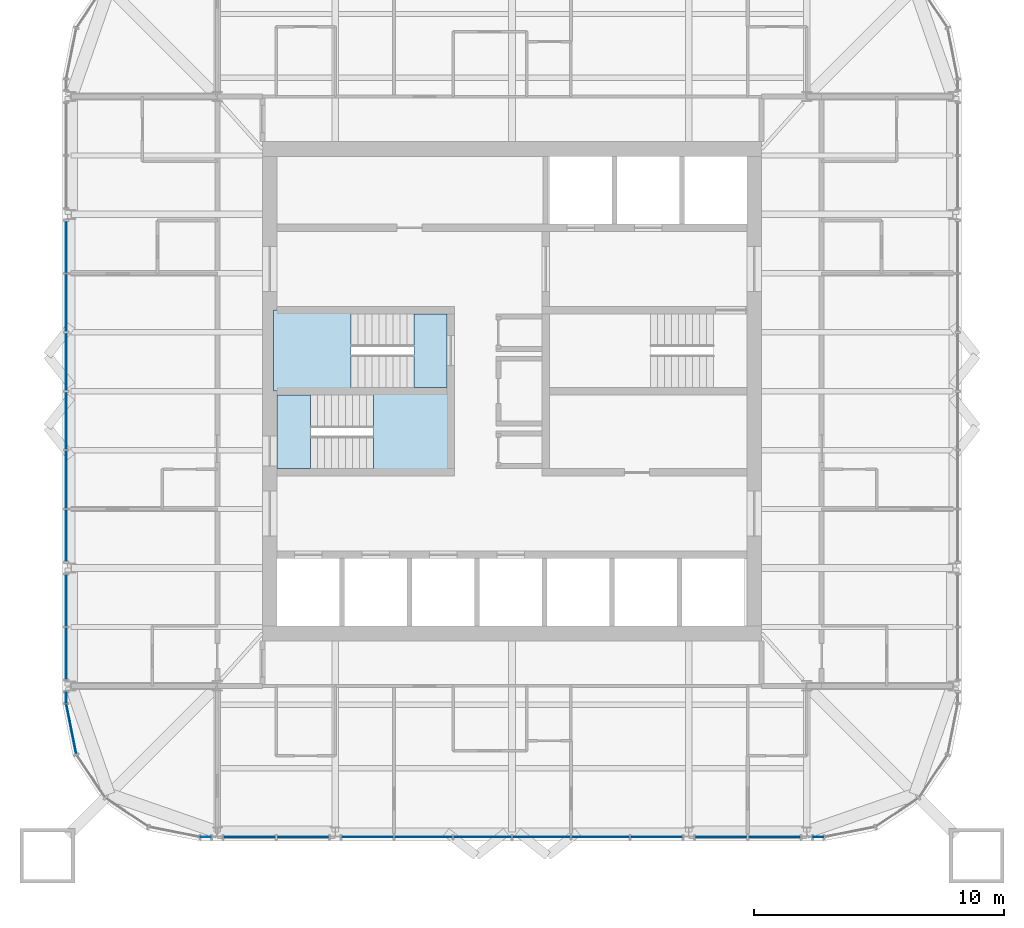
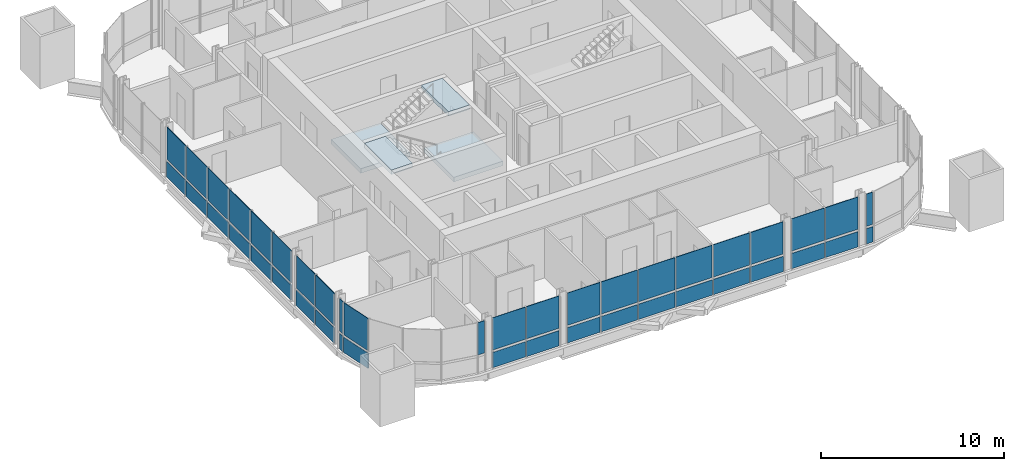
# One storey, part 8 of 17: 43 plates, 4 slabs, 11 elements without a shape of their own.
"""IFC4 building model written with IfcOpenShell, lengths in metres."""

from ifc_helpers import new_model, si_unit, direction, frame, origin, origin_2d, place, context, subcontext, project, spatial, polyline, rectangle, outline, extrude, material, layer, layer_set, type_object, element, aggregate, save


model = new_model("IFC4")

# Units and contexts
model_context = context("Model", 3, precision=1e-05, world=origin(), true_north=direction((0.0, 1.0)))
body_context = subcontext(model_context, "Body", "Model", "MODEL_VIEW")
ifc_project = project(units=[si_unit("LENGTHUNIT", "METRE"), si_unit("AREAUNIT", "SQUARE_METRE"), si_unit("VOLUMEUNIT", "CUBIC_METRE"), si_unit("PLANEANGLEUNIT", "RADIAN"), si_unit("MASSUNIT", "GRAM", prefix="KILO")], contexts=[model_context])

# Site, building, storey
site_placement = place(None, origin())
site = spatial("IfcSite", under=ifc_project, at=site_placement, CompositionType="ELEMENT")
building_placement = place(site_placement, origin())
building = spatial("IfcBuilding", under=site, at=building_placement, Name="Turquesa Mirador Hotel Tower", CompositionType="ELEMENT")
storey_placement = place(building_placement, frame((0.0, 0.0, 247.699951171875)))
storey = spatial("IfcBuildingStorey", under=building, at=storey_placement, Name="L67", CompositionType="ELEMENT", Elevation=247.699951171875)

# Curtain wall, plates
ifc_material_1 = material(Name="Aluminium extrusion", Category="aluminium")
curtain_wall_type = type_object("IfcCurtainWallType", Name="CW-4 SUITE FRITTED CURTAIN WALL", PredefinedType="USERDEFINED", material=ifc_material_1)
curtain_wall_1_placement = place(storey_placement, origin())
curtain_wall_1 = element("IfcCurtainWall", 1, at=curtain_wall_1_placement, inside=storey, type_object=curtain_wall_type, Name="CW-4 SUITE FRITTED CURTAIN WALL L67", ObjectType="CURTAIN WALL", PredefinedType="USERDEFINED")
ifc_material_2 = material(Name="Ceramic-printed spandrel glass on an insulated back pan", Category="glass")
ifc_layer_1 = layer(ifc_material_2, 0.050048828125)
ifc_layer_set_1 = layer_set([ifc_layer_1], Name="CW PANEL SPANDREL CERAMIC")
plate_type_1 = type_object("IfcPlateType", Name="CW PANEL SPANDREL CERAMIC", PredefinedType="CURTAIN_PANEL", material=ifc_layer_set_1)
plate_1_placement = place(storey_placement, frame((37.14990234375, 50.782958984375, 0.0), z_axis=(0.0, 0.0, 1.0), x_axis=(0.0, -1.0, 0.0)))
plate_1 = element("IfcPlate", 2, at=plate_1_placement, type_object=plate_type_1, Name="Panel", PredefinedType="CURTAIN_PANEL", context=body_context, shape_type="SweptSolid", body=[
    extrude(rectangle(XDim=2.06103515625, YDim=0.050048828125, at=origin_2d()), origin(), (0.0, 0.0, 1.0), 1.02490234375),
])
plate_2_placement = place(storey_placement, frame((37.14990234375, 48.5400390625, 0.0), z_axis=(0.0, 0.0, 1.0), x_axis=(0.0, -1.0, 0.0)))
plate_2 = element("IfcPlate", 3, at=plate_2_placement, type_object=plate_type_1, Name="Panel", PredefinedType="CURTAIN_PANEL", context=body_context, shape_type="SweptSolid", body=[
    extrude(rectangle(XDim=2.294921875, YDim=0.050048828125, at=origin_2d()), origin(), (0.0, 0.0, 1.0), 1.02490234375),
])
plate_3_placement = place(storey_placement, frame((37.14990234375, 46.179931640625, 0.0), z_axis=(0.0, 0.0, 1.0), x_axis=(0.0, -1.0, 0.0)))
plate_3 = element("IfcPlate", 4, at=plate_3_placement, type_object=plate_type_1, Name="Panel", PredefinedType="CURTAIN_PANEL", context=body_context, shape_type="SweptSolid", body=[
    extrude(rectangle(XDim=2.294921875, YDim=0.050048828125, at=origin_2d()), origin(), (0.0, 0.0, 1.0), 1.02490234375),
])
plate_4_placement = place(storey_placement, frame((37.14990234375, 43.820068359375, 0.0), z_axis=(0.0, 0.0, 1.0), x_axis=(0.0, -1.0, 0.0)))
plate_4 = element("IfcPlate", 5, at=plate_4_placement, type_object=plate_type_1, Name="Panel", PredefinedType="CURTAIN_PANEL", context=body_context, shape_type="SweptSolid", body=[
    extrude(rectangle(XDim=2.294921875, YDim=0.050048828125, at=origin_2d()), origin(), (0.0, 0.0, 1.0), 1.02490234375),
])
plate_5_placement = place(storey_placement, frame((37.14990234375, 41.4599609375, 0.0), z_axis=(0.0, 0.0, 1.0), x_axis=(0.0, -1.0, 0.0)))
plate_5 = element("IfcPlate", 6, at=plate_5_placement, type_object=plate_type_1, Name="Panel", PredefinedType="CURTAIN_PANEL", context=body_context, shape_type="SweptSolid", body=[
    extrude(rectangle(XDim=2.294921875, YDim=0.050048828125, at=origin_2d()), origin(), (0.0, 0.0, 1.0), 1.02490234375),
])
plate_6_placement = place(storey_placement, frame((37.14990234375, 39.217041015625, 0.0), z_axis=(0.0, 0.0, 1.0), x_axis=(0.0, -1.0, 0.0)))
plate_6 = element("IfcPlate", 7, at=plate_6_placement, type_object=plate_type_1, Name="Panel", PredefinedType="CURTAIN_PANEL", context=body_context, shape_type="SweptSolid", body=[
    extrude(rectangle(XDim=2.06103515625, YDim=0.050048828125, at=origin_2d()), origin(), (0.0, 0.0, 1.0), 1.02490234375),
])

curtain_wall_2_placement = place(storey_placement, origin())
curtain_wall_2 = element("IfcCurtainWall", 8, at=curtain_wall_2_placement, inside=storey, type_object=curtain_wall_type, Name="CW-4 SUITE FRITTED CURTAIN WALL L67", ObjectType="CURTAIN WALL", PredefinedType="USERDEFINED")
plate_7_placement = place(storey_placement, frame((37.14990234375, 36.623046875, 0.0), z_axis=(0.0, 0.0, 1.0), x_axis=(0.0, -1.0, 0.0)))
plate_7 = element("IfcPlate", 9, at=plate_7_placement, type_object=plate_type_1, Name="Panel", PredefinedType="CURTAIN_PANEL", context=body_context, shape_type="SweptSolid", body=[
    extrude(rectangle(XDim=2.06103515625, YDim=0.050048828125, at=origin_2d()), origin(), (0.0, 0.0, 1.0), 1.02490234375),
])
plate_8_placement = place(storey_placement, frame((37.14990234375, 34.496826171875, 0.0), z_axis=(0.0, 0.0, 1.0), x_axis=(0.0, -1.0, 0.0)))
plate_8 = element("IfcPlate", 10, at=plate_8_placement, type_object=plate_type_1, Name="Panel", PredefinedType="CURTAIN_PANEL", context=body_context, shape_type="SweptSolid", body=[
    extrude(rectangle(XDim=2.06103515625, YDim=0.050048828125, at=origin_2d()), origin(), (0.0, 0.0, 1.0), 1.02490234375),
])

# Curtain wall, plate
curtain_wall_3_placement = place(storey_placement, origin())
curtain_wall_3 = element("IfcCurtainWall", 11, at=curtain_wall_3_placement, inside=storey, type_object=curtain_wall_type, Name="CW-4 SUITE FRITTED CURTAIN WALL L67", ObjectType="CURTAIN WALL", PredefinedType="USERDEFINED")
plate_9_placement = place(storey_placement, frame((37.14990234375, 32.733154296875, 0.0), z_axis=(0.0, 0.0, 1.0), x_axis=(0.0, -1.0, 0.0)))
plate_9 = element("IfcPlate", 12, at=plate_9_placement, type_object=plate_type_1, Name="Panel", PredefinedType="CURTAIN_PANEL", context=body_context, shape_type="SweptSolid", body=[
    extrude(rectangle(XDim=0.401123046875, YDim=0.050048828125, at=origin_2d()), origin(), (0.0, 0.0, 1.0), 1.02490234375),
])

curtain_wall_4_placement = place(storey_placement, origin())
curtain_wall_4 = element("IfcCurtainWall", 13, at=curtain_wall_4_placement, inside=storey, type_object=curtain_wall_type, Name="CW-4 SUITE FRITTED CURTAIN WALL L67", ObjectType="CURTAIN WALL", PredefinedType="USERDEFINED")
plate_10_placement = place(storey_placement, frame((37.353515625, 31.476318359375, 0.0), z_axis=(0.0, 0.0, 1.0), x_axis=(0.195090585221, -0.980785228048, 0.0)))
plate_10 = element("IfcPlate", 14, at=plate_10_placement, type_object=plate_type_1, Name="Panel", PredefinedType="CURTAIN_PANEL", context=body_context, shape_type="SweptSolid", body=[
    extrude(rectangle(XDim=2.0224609375, YDim=0.050048828125, at=origin_2d()), origin(), (0.0, 0.0, 1.0), 1.02490234375),
])

# Curtain wall, plates
curtain_wall_5_placement = place(storey_placement, origin())
curtain_wall_5 = element("IfcCurtainWall", 15, at=curtain_wall_5_placement, inside=storey, type_object=curtain_wall_type, Name="CW-4 SUITE FRITTED CURTAIN WALL L67", ObjectType="CURTAIN WALL", PredefinedType="USERDEFINED")
plate_11_placement = place(storey_placement, frame((44.496826171875, 27.14990234375, 0.0), z_axis=(0.0, 0.0, 1.0), x_axis=(1.0, 0.0, 0.0)))
plate_11 = element("IfcPlate", 16, at=plate_11_placement, type_object=plate_type_1, Name="Panel", PredefinedType="CURTAIN_PANEL", context=body_context, shape_type="SweptSolid", body=[
    extrude(rectangle(XDim=2.06103515625, YDim=0.050048828125, at=origin_2d()), origin(), (0.0, 0.0, 1.0), 1.02490234375),
])
plate_12_placement = place(storey_placement, frame((46.623046875, 27.14990234375, 0.0), z_axis=(0.0, 0.0, 1.0), x_axis=(1.0, 0.0, 0.0)))
plate_12 = element("IfcPlate", 17, at=plate_12_placement, type_object=plate_type_1, Name="Panel", PredefinedType="CURTAIN_PANEL", context=body_context, shape_type="SweptSolid", body=[
    extrude(rectangle(XDim=2.06103515625, YDim=0.050048828125, at=origin_2d()), origin(), (0.0, 0.0, 1.0), 1.02490234375),
])

curtain_wall_6_placement = place(storey_placement, origin())
curtain_wall_6 = element("IfcCurtainWall", 18, at=curtain_wall_6_placement, inside=storey, type_object=curtain_wall_type, Name="CW-4 SUITE FRITTED CURTAIN WALL L67", ObjectType="CURTAIN WALL", PredefinedType="USERDEFINED")
plate_13_placement = place(storey_placement, frame((49.217041015625, 27.14990234375, 0.0), z_axis=(0.0, 0.0, 1.0), x_axis=(1.0, 0.0, 0.0)))
plate_13 = element("IfcPlate", 19, at=plate_13_placement, type_object=plate_type_1, Name="Panel", PredefinedType="CURTAIN_PANEL", context=body_context, shape_type="SweptSolid", body=[
    extrude(rectangle(XDim=2.06103515625, YDim=0.050048828125, at=origin_2d()), origin(), (0.0, 0.0, 1.0), 1.02490234375),
])
plate_14_placement = place(storey_placement, frame((51.4599609375, 27.14990234375, 0.0), z_axis=(0.0, 0.0, 1.0), x_axis=(1.0, 0.0, 0.0)))
plate_14 = element("IfcPlate", 20, at=plate_14_placement, type_object=plate_type_1, Name="Panel", PredefinedType="CURTAIN_PANEL", context=body_context, shape_type="SweptSolid", body=[
    extrude(rectangle(XDim=2.294921875, YDim=0.050048828125, at=origin_2d()), origin(), (0.0, 0.0, 1.0), 1.02490234375),
])
plate_15_placement = place(storey_placement, frame((53.820068359375, 27.14990234375, 0.0), z_axis=(0.0, 0.0, 1.0), x_axis=(1.0, 0.0, 0.0)))
plate_15 = element("IfcPlate", 21, at=plate_15_placement, type_object=plate_type_1, Name="Panel", PredefinedType="CURTAIN_PANEL", context=body_context, shape_type="SweptSolid", body=[
    extrude(rectangle(XDim=2.294921875, YDim=0.050048828125, at=origin_2d()), origin(), (0.0, 0.0, 1.0), 1.02490234375),
])
plate_16_placement = place(storey_placement, frame((56.179931640625, 27.14990234375, 0.0), z_axis=(0.0, 0.0, 1.0), x_axis=(1.0, 0.0, 0.0)))
plate_16 = element("IfcPlate", 22, at=plate_16_placement, type_object=plate_type_1, Name="Panel", PredefinedType="CURTAIN_PANEL", context=body_context, shape_type="SweptSolid", body=[
    extrude(rectangle(XDim=2.294921875, YDim=0.050048828125, at=origin_2d()), origin(), (0.0, 0.0, 1.0), 1.02490234375),
])
plate_17_placement = place(storey_placement, frame((58.5400390625, 27.14990234375, 0.0), z_axis=(0.0, 0.0, 1.0), x_axis=(1.0, 0.0, 0.0)))
plate_17 = element("IfcPlate", 23, at=plate_17_placement, type_object=plate_type_1, Name="Panel", PredefinedType="CURTAIN_PANEL", context=body_context, shape_type="SweptSolid", body=[
    extrude(rectangle(XDim=2.294921875, YDim=0.050048828125, at=origin_2d()), origin(), (0.0, 0.0, 1.0), 1.02490234375),
])
plate_18_placement = place(storey_placement, frame((60.782958984375, 27.14990234375, 0.0), z_axis=(0.0, 0.0, 1.0), x_axis=(1.0, 0.0, 0.0)))
plate_18 = element("IfcPlate", 24, at=plate_18_placement, type_object=plate_type_1, Name="Panel", PredefinedType="CURTAIN_PANEL", context=body_context, shape_type="SweptSolid", body=[
    extrude(rectangle(XDim=2.06103515625, YDim=0.050048828125, at=origin_2d()), origin(), (0.0, 0.0, 1.0), 1.02490234375),
])

curtain_wall_7_placement = place(storey_placement, origin())
curtain_wall_7 = element("IfcCurtainWall", 25, at=curtain_wall_7_placement, inside=storey, type_object=curtain_wall_type, Name="CW-4 SUITE FRITTED CURTAIN WALL L67", ObjectType="CURTAIN WALL", PredefinedType="USERDEFINED")
plate_19_placement = place(storey_placement, frame((63.376953125, 27.14990234375, 0.0), z_axis=(0.0, 0.0, 1.0), x_axis=(1.0, 0.0, 0.0)))
plate_19 = element("IfcPlate", 26, at=plate_19_placement, type_object=plate_type_1, Name="Panel", PredefinedType="CURTAIN_PANEL", context=body_context, shape_type="SweptSolid", body=[
    extrude(rectangle(XDim=2.06103515625, YDim=0.050048828125, at=origin_2d()), origin(), (0.0, 0.0, 1.0), 1.02490234375),
])
plate_20_placement = place(storey_placement, frame((65.503173828125, 27.14990234375, 0.0), z_axis=(0.0, 0.0, 1.0), x_axis=(1.0, 0.0, 0.0)))
plate_20 = element("IfcPlate", 27, at=plate_20_placement, type_object=plate_type_1, Name="Panel", PredefinedType="CURTAIN_PANEL", context=body_context, shape_type="SweptSolid", body=[
    extrude(rectangle(XDim=2.06103515625, YDim=0.050048828125, at=origin_2d()), origin(), (0.0, 0.0, 1.0), 1.02490234375),
])

# Curtain wall, plate
curtain_wall_8_placement = place(storey_placement, origin())
curtain_wall_8 = element("IfcCurtainWall", 28, at=curtain_wall_8_placement, inside=storey, type_object=curtain_wall_type, Name="CW-4 SUITE FRITTED CURTAIN WALL L67", ObjectType="CURTAIN WALL", PredefinedType="USERDEFINED")
plate_21_placement = place(storey_placement, frame((67.266845703125, 27.14990234375, 0.0), z_axis=(0.0, 0.0, 1.0), x_axis=(1.0, 0.0, 0.0)))
plate_21 = element("IfcPlate", 29, at=plate_21_placement, type_object=plate_type_1, Name="Panel", PredefinedType="CURTAIN_PANEL", context=body_context, shape_type="SweptSolid", body=[
    extrude(rectangle(XDim=0.401123046875, YDim=0.050048828125, at=origin_2d()), origin(), (0.0, 0.0, 1.0), 1.02490234375),
])

# Plate
ifc_material_3 = material(Name="Ceramic-fritted laminated glass", Category="glass")
ifc_layer_2 = layer(ifc_material_3, 0.031982421875)
ifc_layer_set_2 = layer_set([ifc_layer_2], Name="CW PANEL VISION FRITTED")
plate_type_2 = type_object("IfcPlateType", Name="CW PANEL VISION FRITTED", PredefinedType="CURTAIN_PANEL", material=ifc_layer_set_2)
plate_22_placement = place(storey_placement, frame((37.14990234375, 50.782958984375, 1.1748046875), z_axis=(0.0, 0.0, 1.0), x_axis=(0.0, -1.0, 0.0)))
plate_22 = element("IfcPlate", 30, at=plate_22_placement, type_object=plate_type_2, Name="Panel", PredefinedType="CURTAIN_PANEL", context=body_context, shape_type="SweptSolid", body=[
    extrude(rectangle(XDim=2.06103515625, YDim=0.031982421875, at=origin_2d()), origin(), (0.0, 0.0, 1.0), 2.155029296875),
])

plate_23_placement = place(storey_placement, frame((37.14990234375, 48.5400390625, 1.1748046875), z_axis=(0.0, 0.0, 1.0), x_axis=(0.0, -1.0, 0.0)))
plate_23 = element("IfcPlate", 31, at=plate_23_placement, type_object=plate_type_2, Name="Panel", PredefinedType="CURTAIN_PANEL", context=body_context, shape_type="SweptSolid", body=[
    extrude(rectangle(XDim=2.294921875, YDim=0.031982421875, at=origin_2d()), origin(), (0.0, 0.0, 1.0), 2.155029296875),
])

plate_24_placement = place(storey_placement, frame((37.14990234375, 46.179931640625, 1.1748046875), z_axis=(0.0, 0.0, 1.0), x_axis=(0.0, -1.0, 0.0)))
plate_24 = element("IfcPlate", 32, at=plate_24_placement, type_object=plate_type_2, Name="Panel", PredefinedType="CURTAIN_PANEL", context=body_context, shape_type="SweptSolid", body=[
    extrude(rectangle(XDim=2.294921875, YDim=0.031982421875, at=origin_2d()), origin(), (0.0, 0.0, 1.0), 2.155029296875),
])

plate_25_placement = place(storey_placement, frame((37.14990234375, 43.820068359375, 1.1748046875), z_axis=(0.0, 0.0, 1.0), x_axis=(0.0, -1.0, 0.0)))
plate_25 = element("IfcPlate", 33, at=plate_25_placement, type_object=plate_type_2, Name="Panel", PredefinedType="CURTAIN_PANEL", context=body_context, shape_type="SweptSolid", body=[
    extrude(rectangle(XDim=2.294921875, YDim=0.031982421875, at=origin_2d()), origin(), (0.0, 0.0, 1.0), 2.155029296875),
])

plate_26_placement = place(storey_placement, frame((37.14990234375, 41.4599609375, 1.1748046875), z_axis=(0.0, 0.0, 1.0), x_axis=(0.0, -1.0, 0.0)))
plate_26 = element("IfcPlate", 34, at=plate_26_placement, type_object=plate_type_2, Name="Panel", PredefinedType="CURTAIN_PANEL", context=body_context, shape_type="SweptSolid", body=[
    extrude(rectangle(XDim=2.294921875, YDim=0.031982421875, at=origin_2d()), origin(), (0.0, 0.0, 1.0), 2.155029296875),
])

plate_27_placement = place(storey_placement, frame((37.14990234375, 39.217041015625, 1.1748046875), z_axis=(0.0, 0.0, 1.0), x_axis=(0.0, -1.0, 0.0)))
plate_27 = element("IfcPlate", 35, at=plate_27_placement, type_object=plate_type_2, Name="Panel", PredefinedType="CURTAIN_PANEL", context=body_context, shape_type="SweptSolid", body=[
    extrude(rectangle(XDim=2.06103515625, YDim=0.031982421875, at=origin_2d()), origin(), (0.0, 0.0, 1.0), 2.155029296875),
])

aggregate(curtain_wall_1, [plate_1, plate_22, plate_2, plate_23, plate_3, plate_24, plate_4, plate_25, plate_5, plate_26, plate_6, plate_27])

plate_28_placement = place(storey_placement, frame((37.14990234375, 36.623046875, 1.1748046875), z_axis=(0.0, 0.0, 1.0), x_axis=(0.0, -1.0, 0.0)))
plate_28 = element("IfcPlate", 36, at=plate_28_placement, type_object=plate_type_2, Name="Panel", PredefinedType="CURTAIN_PANEL", context=body_context, shape_type="SweptSolid", body=[
    extrude(rectangle(XDim=2.06103515625, YDim=0.031982421875, at=origin_2d()), origin(), (0.0, 0.0, 1.0), 2.155029296875),
])

plate_29_placement = place(storey_placement, frame((37.14990234375, 34.496826171875, 1.1748046875), z_axis=(0.0, 0.0, 1.0), x_axis=(0.0, -1.0, 0.0)))
plate_29 = element("IfcPlate", 37, at=plate_29_placement, type_object=plate_type_2, Name="Panel", PredefinedType="CURTAIN_PANEL", context=body_context, shape_type="SweptSolid", body=[
    extrude(rectangle(XDim=2.06103515625, YDim=0.031982421875, at=origin_2d()), origin(), (0.0, 0.0, 1.0), 2.155029296875),
])

aggregate(curtain_wall_2, [plate_7, plate_28, plate_8, plate_29])

plate_30_placement = place(storey_placement, frame((37.14990234375, 32.733154296875, 1.1748046875), z_axis=(0.0, 0.0, 1.0), x_axis=(0.0, -1.0, 0.0)))
plate_30 = element("IfcPlate", 38, at=plate_30_placement, type_object=plate_type_2, Name="Panel", PredefinedType="CURTAIN_PANEL", context=body_context, shape_type="SweptSolid", body=[
    extrude(rectangle(XDim=0.401123046875, YDim=0.031982421875, at=origin_2d()), origin(), (0.0, 0.0, 1.0), 2.155029296875),
])

aggregate(curtain_wall_3, [plate_9, plate_30])

plate_31_placement = place(storey_placement, frame((37.353515625, 31.476318359375, 1.1748046875), z_axis=(0.0, 0.0, 1.0), x_axis=(0.195090585221, -0.980785228048, 0.0)))
plate_31 = element("IfcPlate", 39, at=plate_31_placement, type_object=plate_type_2, Name="Panel", PredefinedType="CURTAIN_PANEL", context=body_context, shape_type="SweptSolid", body=[
    extrude(rectangle(XDim=2.0224609375, YDim=0.031982421875, at=origin_2d()), origin(), (0.0, 0.0, 1.0), 2.155029296875),
])

aggregate(curtain_wall_4, [plate_10, plate_31])

# Curtain wall, plate
curtain_wall_9_placement = place(storey_placement, origin())
curtain_wall_9 = element("IfcCurtainWall", 40, at=curtain_wall_9_placement, inside=storey, type_object=curtain_wall_type, Name="CW-4 SUITE FRITTED CURTAIN WALL L67", ObjectType="CURTAIN WALL", PredefinedType="USERDEFINED")
plate_32_placement = place(storey_placement, frame((42.733154296875, 27.14990234375, 1.1748046875), z_axis=(0.0, 0.0, 1.0), x_axis=(1.0, 0.0, 0.0)))
plate_32 = element("IfcPlate", 41, at=plate_32_placement, type_object=plate_type_2, Name="Panel", PredefinedType="CURTAIN_PANEL", context=body_context, shape_type="SweptSolid", body=[
    extrude(rectangle(XDim=0.401123046875, YDim=0.031982421875, at=origin_2d()), origin(), (0.0, 0.0, 1.0), 2.155029296875),
])
aggregate(curtain_wall_9, [plate_32])

# Plate
plate_33_placement = place(storey_placement, frame((44.496826171875, 27.14990234375, 1.1748046875), z_axis=(0.0, 0.0, 1.0), x_axis=(1.0, 0.0, 0.0)))
plate_33 = element("IfcPlate", 42, at=plate_33_placement, type_object=plate_type_2, Name="Panel", PredefinedType="CURTAIN_PANEL", context=body_context, shape_type="SweptSolid", body=[
    extrude(rectangle(XDim=2.06103515625, YDim=0.031982421875, at=origin_2d()), origin(), (0.0, 0.0, 1.0), 2.155029296875),
])

plate_34_placement = place(storey_placement, frame((46.623046875, 27.14990234375, 1.1748046875), z_axis=(0.0, 0.0, 1.0), x_axis=(1.0, 0.0, 0.0)))
plate_34 = element("IfcPlate", 43, at=plate_34_placement, type_object=plate_type_2, Name="Panel", PredefinedType="CURTAIN_PANEL", context=body_context, shape_type="SweptSolid", body=[
    extrude(rectangle(XDim=2.06103515625, YDim=0.031982421875, at=origin_2d()), origin(), (0.0, 0.0, 1.0), 2.155029296875),
])

aggregate(curtain_wall_5, [plate_11, plate_33, plate_12, plate_34])

plate_35_placement = place(storey_placement, frame((49.217041015625, 27.14990234375, 1.1748046875), z_axis=(0.0, 0.0, 1.0), x_axis=(1.0, 0.0, 0.0)))
plate_35 = element("IfcPlate", 44, at=plate_35_placement, type_object=plate_type_2, Name="Panel", PredefinedType="CURTAIN_PANEL", context=body_context, shape_type="SweptSolid", body=[
    extrude(rectangle(XDim=2.06103515625, YDim=0.031982421875, at=origin_2d()), origin(), (0.0, 0.0, 1.0), 2.155029296875),
])

plate_36_placement = place(storey_placement, frame((51.4599609375, 27.14990234375, 1.1748046875), z_axis=(0.0, 0.0, 1.0), x_axis=(1.0, 0.0, 0.0)))
plate_36 = element("IfcPlate", 45, at=plate_36_placement, type_object=plate_type_2, Name="Panel", PredefinedType="CURTAIN_PANEL", context=body_context, shape_type="SweptSolid", body=[
    extrude(rectangle(XDim=2.294921875, YDim=0.031982421875, at=origin_2d()), origin(), (0.0, 0.0, 1.0), 2.155029296875),
])

plate_37_placement = place(storey_placement, frame((53.820068359375, 27.14990234375, 1.1748046875), z_axis=(0.0, 0.0, 1.0), x_axis=(1.0, 0.0, 0.0)))
plate_37 = element("IfcPlate", 46, at=plate_37_placement, type_object=plate_type_2, Name="Panel", PredefinedType="CURTAIN_PANEL", context=body_context, shape_type="SweptSolid", body=[
    extrude(rectangle(XDim=2.294921875, YDim=0.031982421875, at=origin_2d()), origin(), (0.0, 0.0, 1.0), 2.155029296875),
])

plate_38_placement = place(storey_placement, frame((56.179931640625, 27.14990234375, 1.1748046875), z_axis=(0.0, 0.0, 1.0), x_axis=(1.0, 0.0, 0.0)))
plate_38 = element("IfcPlate", 47, at=plate_38_placement, type_object=plate_type_2, Name="Panel", PredefinedType="CURTAIN_PANEL", context=body_context, shape_type="SweptSolid", body=[
    extrude(rectangle(XDim=2.294921875, YDim=0.031982421875, at=origin_2d()), origin(), (0.0, 0.0, 1.0), 2.155029296875),
])

plate_39_placement = place(storey_placement, frame((58.5400390625, 27.14990234375, 1.1748046875), z_axis=(0.0, 0.0, 1.0), x_axis=(1.0, 0.0, 0.0)))
plate_39 = element("IfcPlate", 48, at=plate_39_placement, type_object=plate_type_2, Name="Panel", PredefinedType="CURTAIN_PANEL", context=body_context, shape_type="SweptSolid", body=[
    extrude(rectangle(XDim=2.294921875, YDim=0.031982421875, at=origin_2d()), origin(), (0.0, 0.0, 1.0), 2.155029296875),
])

plate_40_placement = place(storey_placement, frame((60.782958984375, 27.14990234375, 1.1748046875), z_axis=(0.0, 0.0, 1.0), x_axis=(1.0, 0.0, 0.0)))
plate_40 = element("IfcPlate", 49, at=plate_40_placement, type_object=plate_type_2, Name="Panel", PredefinedType="CURTAIN_PANEL", context=body_context, shape_type="SweptSolid", body=[
    extrude(rectangle(XDim=2.06103515625, YDim=0.031982421875, at=origin_2d()), origin(), (0.0, 0.0, 1.0), 2.155029296875),
])

aggregate(curtain_wall_6, [plate_13, plate_35, plate_14, plate_36, plate_15, plate_37, plate_16, plate_38, plate_17, plate_39, plate_18, plate_40])

plate_41_placement = place(storey_placement, frame((63.376953125, 27.14990234375, 1.1748046875), z_axis=(0.0, 0.0, 1.0), x_axis=(1.0, 0.0, 0.0)))
plate_41 = element("IfcPlate", 50, at=plate_41_placement, type_object=plate_type_2, Name="Panel", PredefinedType="CURTAIN_PANEL", context=body_context, shape_type="SweptSolid", body=[
    extrude(rectangle(XDim=2.06103515625, YDim=0.031982421875, at=origin_2d()), origin(), (0.0, 0.0, 1.0), 2.155029296875),
])

plate_42_placement = place(storey_placement, frame((65.503173828125, 27.14990234375, 1.1748046875), z_axis=(0.0, 0.0, 1.0), x_axis=(1.0, 0.0, 0.0)))
plate_42 = element("IfcPlate", 51, at=plate_42_placement, type_object=plate_type_2, Name="Panel", PredefinedType="CURTAIN_PANEL", context=body_context, shape_type="SweptSolid", body=[
    extrude(rectangle(XDim=2.06103515625, YDim=0.031982421875, at=origin_2d()), origin(), (0.0, 0.0, 1.0), 2.155029296875),
])

aggregate(curtain_wall_7, [plate_19, plate_41, plate_20, plate_42])

plate_43_placement = place(storey_placement, frame((67.266845703125, 27.14990234375, 1.1748046875), z_axis=(0.0, 0.0, 1.0), x_axis=(1.0, 0.0, 0.0)))
plate_43 = element("IfcPlate", 52, at=plate_43_placement, type_object=plate_type_2, Name="Panel", PredefinedType="CURTAIN_PANEL", context=body_context, shape_type="SweptSolid", body=[
    extrude(rectangle(XDim=0.401123046875, YDim=0.031982421875, at=origin_2d()), origin(), (0.0, 0.0, 1.0), 2.155029296875),
])

aggregate(curtain_wall_8, [plate_21, plate_43])

# Stair, slabs
ifc_material_4 = material(Name="Concrete C35/45", Category="concrete")
stair_type = type_object("IfcStairType", Name="ESCAPE STAIR CORE", PredefinedType="HALF_TURN_STAIR", material=ifc_material_4)
stair_1_placement = place(storey_placement, origin())
stair_1 = element("IfcStair", 53, at=stair_1_placement, inside=storey, type_object=stair_type, Name="Stair ST1 L67 to L68", PredefinedType="HALF_TURN_STAIR")
ifc_material_5 = material(Name="Concrete C35/45", Category="concrete")
ifc_layer_3 = layer(ifc_material_5, 0.300048828125)
ifc_layer_set_3 = layer_set([ifc_layer_3], Name="STAIR LANDING 300")
slab_type = type_object("IfcSlabType", Name="STAIR LANDING 300", PredefinedType="LANDING", material=ifc_layer_set_3)
slab_1_placement = place(storey_placement, frame((0.0, 0.0, 1.449951171875)))
slab_1 = element("IfcSlab", 54, at=slab_1_placement, type_object=slab_type, Name="ST1 landing 1", PredefinedType="LANDING", context=body_context, shape_type="SweptSolid", body=[
    extrude(outline(polyline([(45.449951171875, 45.0), (48.550048828125, 45.0), (48.550048828125, 48.25), (45.449951171875, 48.25), (45.449951171875, 45.0)])), origin(), (0.0, 0.0, 1.0), 0.300048828125),
])
slab_2_placement = place(storey_placement, frame((0.0, 0.0, 3.199951171875)))
slab_2 = element("IfcSlab", 55, at=slab_2_placement, type_object=slab_type, Name="ST1 landing 2", PredefinedType="LANDING", context=body_context, shape_type="SweptSolid", body=[
    extrude(outline(polyline([(51.070068359375, 45.14990234375), (52.39990234375, 45.14990234375), (52.39990234375, 48.10009765625), (51.070068359375, 48.10009765625), (51.070068359375, 45.14990234375)])), origin(), (0.0, 0.0, 1.0), 0.300048828125),
])
aggregate(stair_1, [slab_1, slab_2])

stair_2_placement = place(storey_placement, origin())
stair_2 = element("IfcStair", 56, at=stair_2_placement, inside=storey, type_object=stair_type, Name="Stair ST2 L67 to L68", PredefinedType="HALF_TURN_STAIR")
slab_3_placement = place(storey_placement, frame((0.0, 0.0, 1.449951171875)))
slab_3 = element("IfcSlab", 57, at=slab_3_placement, type_object=slab_type, Name="ST2 landing 1", PredefinedType="LANDING", context=body_context, shape_type="SweptSolid", body=[
    extrude(outline(polyline([(52.550048828125, 45.0), (49.449951171875, 45.0), (49.449951171875, 41.75), (52.550048828125, 41.75), (52.550048828125, 45.0)])), origin(), (0.0, 0.0, 1.0), 0.300048828125),
])
slab_4_placement = place(storey_placement, frame((0.0, 0.0, 3.199951171875)))
slab_4 = element("IfcSlab", 58, at=slab_4_placement, type_object=slab_type, Name="ST2 landing 2", PredefinedType="LANDING", context=body_context, shape_type="SweptSolid", body=[
    extrude(outline(polyline([(46.929931640625, 44.85009765625), (45.60009765625, 44.85009765625), (45.60009765625, 41.89990234375), (46.929931640625, 41.89990234375), (46.929931640625, 44.85009765625)])), origin(), (0.0, 0.0, 1.0), 0.300048828125),
])
aggregate(stair_2, [slab_3, slab_4])

save(model, "model.ifc")
